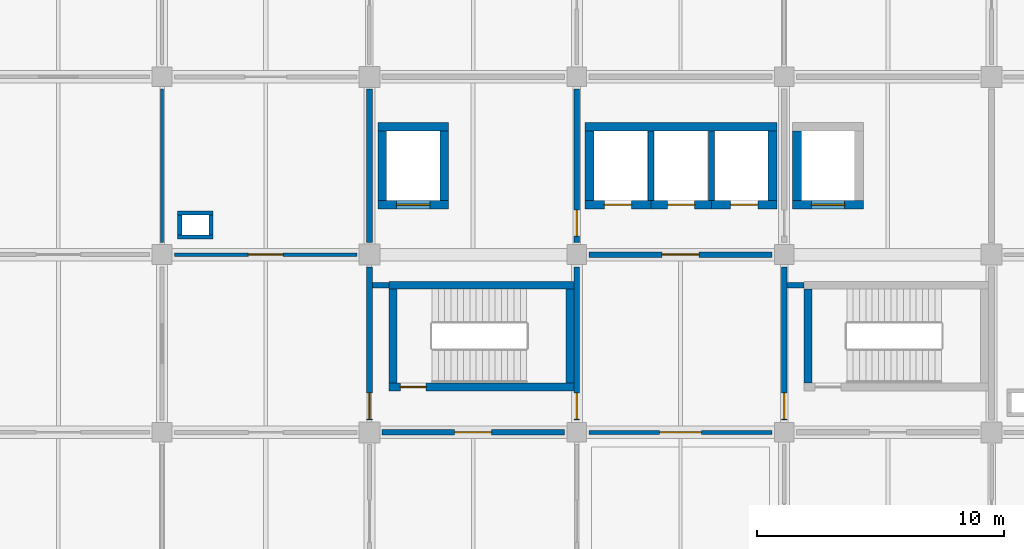
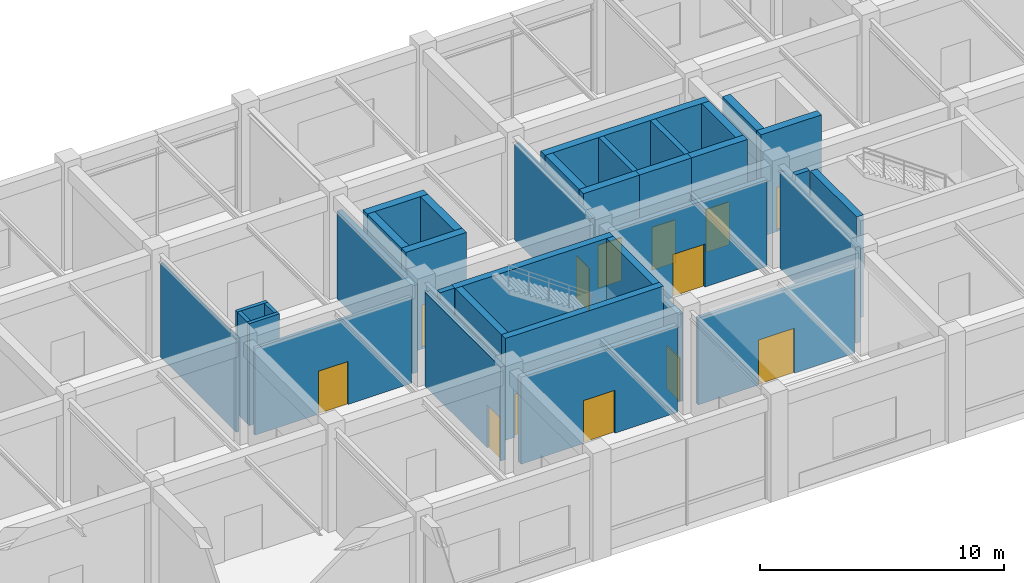
# One storey, part 24 of 38: 35 walls, 14 doors, 14 openings.
"""IFC4 building model written with IfcOpenShell, lengths in metres."""

import ifcopenshell
import ifcopenshell.guid

model = None  # the IFC model being written
_history = None  # IfcOwnerHistory: only IFC2X3 demands one
_inside = {}  # id of a spatial element -> (the spatial element, [elements in it])
_under = {}  # id of a project, library or spatial element -> (it, [spatial elements below it])
_declared = {}  # id of a project -> (the project, [libraries it declares])
_typed = {}  # id of a type object -> (the type object, [elements of that type])
_made_of = {}  # id of a material, layer set ... -> (it, [elements and type objects made of it])


def new_model(schema):
    """Start an empty IFC model of exactly this schema.

    Asked for "IFC4X3", IfcOpenShell would pick the latest addendum, in which some entities
    have other attributes; the version numbers below select the first issue.
    IFC2X3 requires an IfcOwnerHistory on every rooted entity: one is made here for all.
    """
    global model, _history
    if schema == "IFC4X3":
        model = ifcopenshell.file(schema_version=(4, 3, 0, 0))
    else:
        model = ifcopenshell.file(schema=schema)
    _inside.clear()
    _under.clear()
    _declared.clear()
    _typed.clear()
    _made_of.clear()
    _history = None
    if model.schema == "IFC2X3":
        org = make("IfcOrganization", Name="unknown")
        user = make(
            "IfcPersonAndOrganization",
            ThePerson=make("IfcPerson", FamilyName="unknown"),
            TheOrganization=org,
        )
        app = make(
            "IfcApplication",
            ApplicationDeveloper=org,
            Version="unknown",
            ApplicationFullName="unknown",
            ApplicationIdentifier="unknown",
        )
        _history = make(
            "IfcOwnerHistory",
            OwningUser=user,
            OwningApplication=app,
            ChangeAction="ADDED",
            CreationDate=0,
        )
    return model


def make(cls, **values):
    """One entity of the class cls with the attributes given. An attribute that is None is left unset."""
    return model.create_entity(
        cls, **{name: value for name, value in values.items() if value is not None}
    )


def rooted(cls, **values):
    """An entity with a GlobalId (a new one), such as an element, a storey or a relation."""
    return make(cls, GlobalId=ifcopenshell.guid.new(), OwnerHistory=_history, **values)


def si_unit(unit_type, name, prefix=None):
    """IfcSIUnit, for example si_unit("LENGTHUNIT", "METRE", prefix="MILLI")."""
    return make("IfcSIUnit", UnitType=unit_type, Prefix=prefix, Name=name)


def derived_unit(unit_type, elements):
    """IfcDerivedUnit: a product of units, each with its exponent."""
    return make(
        "IfcDerivedUnit",
        Elements=[
            make("IfcDerivedUnitElement", Unit=unit, Exponent=power)
            for unit, power in elements
        ],
        UnitType=unit_type,
    )


def assignment(units):
    """IfcUnitAssignment: the units of a project."""
    return None if units is None else make("IfcUnitAssignment", Units=units)


def point(xyz):
    """IfcCartesianPoint."""
    return None if xyz is None else make("IfcCartesianPoint", Coordinates=xyz)


def direction(xyz):
    """IfcDirection."""
    return None if xyz is None else make("IfcDirection", DirectionRatios=xyz)


def frame(location, z_axis=None, x_axis=None):
    """IfcAxis2Placement3D, a coordinate frame: its origin and axes. An axis left out is left unset."""
    return make(
        "IfcAxis2Placement3D",
        Location=point(location),
        Axis=direction(z_axis),
        RefDirection=direction(x_axis),
    )


def frame_2d(location, x_axis=None):
    """IfcAxis2Placement2D, a coordinate frame in the plane: its origin and x axis."""
    return make(
        "IfcAxis2Placement2D", Location=point(location), RefDirection=direction(x_axis)
    )


def origin():
    """The frame at (0, 0, 0) with its axes left unset."""
    return frame((0.0, 0.0, 0.0))


def place(relative_to, where):
    """IfcLocalPlacement: puts the frame where relative to a parent placement (None: the world)."""
    return make(
        "IfcLocalPlacement", PlacementRelTo=relative_to, RelativePlacement=where
    )


def context(
    kind, dimensions, precision=None, world=None, true_north=None, identifier=None
):
    """IfcGeometricRepresentationContext, for example the 3D "Model" context."""
    return make(
        "IfcGeometricRepresentationContext",
        ContextIdentifier=identifier,
        ContextType=kind,
        CoordinateSpaceDimension=dimensions,
        Precision=precision,
        WorldCoordinateSystem=world,
        TrueNorth=true_north,
    )


def subcontext(parent, identifier, kind, view, scale=None):
    """IfcGeometricRepresentationSubContext, for example "Body" below "Model"."""
    return make(
        "IfcGeometricRepresentationSubContext",
        ContextIdentifier=identifier,
        ContextType=kind,
        ParentContext=parent,
        TargetScale=scale,
        TargetView=view,
    )


def project(units=None, contexts=None):
    """IfcProject with its units and contexts."""
    return rooted(
        "IfcProject",
        Name="project",
        RepresentationContexts=contexts,
        UnitsInContext=assignment(units),
    )


def spatial(cls, under=None, at=None, **own):
    """A site, building, storey or space (cls), placed at a placement, below another one or the project."""
    s = rooted(cls, ObjectPlacement=at, **own)
    if under is not None:
        _under.setdefault(under.id(), (under, []))[1].append(s)
    return s


def profile(cls, at=None, kind="AREA", **sizes):
    """A parametric profile (cls). Its sizes go by their IFC names, for example OverallWidth=200.0."""
    return make(cls, ProfileType=kind, Position=at, **sizes)


def rectangle(**sizes):
    """IfcRectangleProfileDef."""
    return profile("IfcRectangleProfileDef", **sizes)


def extrude(swept, where, along, depth):
    """IfcExtrudedAreaSolid: the profile swept, set in the frame where, extruded along a direction by depth."""
    return make(
        "IfcExtrudedAreaSolid",
        SweptArea=swept,
        Position=where,
        ExtrudedDirection=direction(along),
        Depth=depth,
    )


def shape(context_of_items, identifier, shape_type, items):
    """IfcShapeRepresentation: the items that make up one representation, for example the "Body"."""
    return make(
        "IfcShapeRepresentation",
        ContextOfItems=context_of_items,
        RepresentationIdentifier=identifier,
        RepresentationType=shape_type,
        Items=items,
    )


def material(Name=None, Category=None):
    """IfcMaterial."""
    return make("IfcMaterial", Name=Name, Category=Category)


def layer(
    of_material, thickness, ventilated=None, Name=None, Category=None, Priority=None
):
    """IfcMaterialLayer: one layer of a wall or slab, of a material (None: an air gap)."""
    return make(
        "IfcMaterialLayer",
        Material=of_material,
        LayerThickness=thickness,
        IsVentilated=ventilated,
        Name=Name,
        Category=Category,
        Priority=Priority,
    )


def layer_set(layers, Name=None):
    """IfcMaterialLayerSet."""
    return make("IfcMaterialLayerSet", MaterialLayers=layers, LayerSetName=Name)


def made_of(thing, what):
    """Note that an element or type object is made of a material, layer set ...; save() writes the relation."""
    if what is not None:
        _made_of.setdefault(what.id(), (what, []))[1].append(thing)
    return thing


def type_object(cls, material=None, **own):
    """A type object (cls), such as IfcWallType, which elements share."""
    return made_of(rooted(cls, **own), material)


def element(
    cls,
    number,
    at=None,
    inside=None,
    cuts=None,
    type_object=None,
    material=None,
    context=None,
    identifier="Body",
    shape_type=None,
    held_by="IfcProductDefinitionShape",
    body=None,
    shapes=None,
    **own,
):
    """One element of the class cls, such as IfcWall. Its Tag is "e" and its number.

    at: its placement. inside: the storey or other place that contains it. cuts: it is an
    opening in that element (IfcRelVoidsElement). A single representation is given by context,
    identifier, shape_type and body (its items); several are given by shapes. held_by: the class
    of the entity that holds the representations. save() writes the other relations.
    """
    e = rooted(cls, Tag="e%d" % number, ObjectPlacement=at, **own)
    if body is not None:
        shapes = [shape(context, identifier, shape_type, body)]
    if shapes is not None:
        e.Representation = make(held_by, Representations=shapes)
    if inside is not None:
        _inside.setdefault(inside.id(), (inside, []))[1].append(e)
    if cuts is not None:
        rooted(
            "IfcRelVoidsElement", RelatingBuildingElement=cuts, RelatedOpeningElement=e
        )
    if type_object is not None:
        _typed.setdefault(type_object.id(), (type_object, []))[1].append(e)
    return made_of(e, material)


def fill(opening, filler):
    """IfcRelFillsElement: the door or window that sits in an opening."""
    return rooted(
        "IfcRelFillsElement",
        RelatingOpeningElement=opening,
        RelatedBuildingElement=filler,
    )


def aggregate(whole, parts):
    """IfcRelAggregates: a whole, such as a stair, and the parts it consists of."""
    return rooted("IfcRelAggregates", RelatingObject=whole, RelatedObjects=parts)


def save(model, path):
    """Write the relations noted so far, then the file.

    IfcRelAggregates (storeys below a building ...), IfcRelContainedInSpatialStructure (elements
    in a storey), IfcRelDefinesByType, IfcRelAssociatesMaterial and IfcRelDeclares: one each for
    every whole, place, type object, material and project.
    """
    for whole, parts in _under.values():
        aggregate(whole, parts)
    for where, things in _inside.values():
        rooted(
            "IfcRelContainedInSpatialStructure",
            RelatedElements=things,
            RelatingStructure=where,
        )
    for kind, things in _typed.values():
        rooted("IfcRelDefinesByType", RelatedObjects=things, RelatingType=kind)
    for what, things in _made_of.values():
        rooted("IfcRelAssociatesMaterial", RelatedObjects=things, RelatingMaterial=what)
    for by, libraries in _declared.values():
        rooted("IfcRelDeclares", RelatingContext=by, RelatedDefinitions=libraries)
    model.write(path)


model = new_model("IFC4")

# Units and contexts
model_context = context("Model", 3, precision=1e-05, world=origin(), true_north=direction((0.0, 1.0)))
body_context = subcontext(model_context, "Body", "Model", "MODEL_VIEW")
ifc_project = project(units=[si_unit("LENGTHUNIT", "METRE"), si_unit("AREAUNIT", "SQUARE_METRE"), si_unit("VOLUMEUNIT", "CUBIC_METRE"), si_unit("PLANEANGLEUNIT", "RADIAN"), si_unit("MASSUNIT", "GRAM", prefix="KILO"), derived_unit("THERMALTRANSMITTANCEUNIT", [(si_unit("MASSUNIT", "GRAM", prefix="KILO"), 1), (si_unit("TIMEUNIT", "SECOND"), -3), (si_unit("THERMODYNAMICTEMPERATUREUNIT", "KELVIN"), -1)])], contexts=[model_context])

# Site, building, storey
site_placement = place(None, origin())
site = spatial("IfcSite", under=ifc_project, at=site_placement, CompositionType="ELEMENT")
building_placement = place(site_placement, origin())
building = spatial("IfcBuilding", under=site, at=building_placement, Name="Veldstrom Oceanarium and Marine Research Institute", CompositionType="ELEMENT")
storey_placement = place(building_placement, frame((0.0, 0.0, 11.39990234375)))
storey = spatial("IfcBuildingStorey", under=building, at=storey_placement, Name="L02", CompositionType="ELEMENT", Elevation=11.39990234375)

# Wall, opening, door
ifc_material_1 = material(Name="Masonry Fire Compartment Wall", Category="masonry")
ifc_layer_1 = layer(ifc_material_1, 0.22998046875)
ifc_layer_set_1 = layer_set([ifc_layer_1], Name="ARC-WAL-PT1")
wall_type_1 = type_object("IfcWallType", Name="ARC-WAL-PT1", PredefinedType="PARTITIONING", material=ifc_layer_set_1)
wall_1_placement = place(storey_placement, frame((75.60009765625, 50.89990234375, 0.0), z_axis=(0.0, 0.0, 1.0), x_axis=(0.0, 1.0, 0.0)))
wall_1 = element("IfcWall", 1, at=wall_1_placement, inside=storey, type_object=wall_type_1, Name="Interior Partition PT1 L02-1160", PredefinedType="PARTITIONING", context=body_context, shape_type="SweptSolid", body=[
    extrude(rectangle(XDim=6.2001953125, YDim=0.22998046875, at=frame_2d((3.10009765625, 0.0))), origin(), (0.0, 0.0, 1.0), 4.695068359375),
])
opening_1_placement = place(wall_1_placement, frame((0.050048828125, 0.0, 0.0)))
opening_1 = element("IfcOpeningElement", 2, at=opening_1_placement, cuts=wall_1, Name="Opening D-L02-676", PredefinedType="OPENING", context=body_context, shape_type="SweptSolid", body=[
    extrude(rectangle(XDim=1.050048828125, YDim=2.14990234375, at=frame_2d((0.52490234375, 1.074951171875))), frame((0.0, 0.125, 0.0), z_axis=(0.0, -1.0, 0.0), x_axis=(1.0, 0.0, 0.0)), (0.0, 0.0, 1.0), 0.25),
])
ifc_material_2 = material(Name="Painted Steel Fire Door", Category="steel")
door_type_1 = type_object("IfcDoorType", Name="ARC-DOR-SD1", OperationType="SINGLE_SWING_LEFT", PredefinedType="DOOR", material=ifc_material_2)
door_1_placement = place(opening_1_placement, origin())
door_1 = element("IfcDoor", 3, at=door_1_placement, inside=storey, type_object=door_type_1, Name="Interior Door D-L02-676", OperationType="SINGLE_SWING_LEFT", OverallHeight=2.14990234375, OverallWidth=1.050048828125, PredefinedType="DOOR", context=body_context, shape_type="SweptSolid", body=[
    extrude(rectangle(XDim=1.050048828125, YDim=2.14990234375, at=frame_2d((0.52490234375, 1.074951171875))), frame((0.0, 0.02490234375, 0.0), z_axis=(0.0, -1.0, 0.0), x_axis=(1.0, 0.0, 0.0)), (0.0, 0.0, 1.0), 0.050048828125),
])
fill(opening_1, door_1)

# Wall
wall_2_placement = place(storey_placement, frame((75.60009765625, 58.10009765625, 0.0), z_axis=(0.0, 0.0, 1.0), x_axis=(0.0, 1.0, 0.0)))
element("IfcWall", 4, at=wall_2_placement, inside=storey, type_object=wall_type_1, Name="Interior Partition PT1 L02-1162", PredefinedType="PARTITIONING", context=body_context, shape_type="SweptSolid", body=[
    extrude(rectangle(XDim=6.199951171875, YDim=0.22998046875, at=frame_2d((3.10009765625, 0.0))), origin(), (0.0, 0.0, 1.0), 4.39501953125),
])

# Wall, opening, door
wall_3_placement = place(storey_placement, frame((76.10009765625, 50.39990234375, 0.0), z_axis=(0.0, 0.0, 1.0), x_axis=(1.0, 0.0, 0.0)))
wall_3 = element("IfcWall", 5, at=wall_3_placement, inside=storey, type_object=wall_type_1, Name="Interior Partition PT1 L02-1166", PredefinedType="PARTITIONING", context=body_context, shape_type="SweptSolid", body=[
    extrude(rectangle(XDim=7.39990234375, YDim=0.22998046875, at=frame_2d((3.699951171875, 0.0))), origin(), (0.0, 0.0, 1.0), 4.34521484375),
])
opening_2_placement = place(wall_3_placement, frame((2.949951171875, 0.0, 0.0)))
opening_2 = element("IfcOpeningElement", 6, at=opening_2_placement, cuts=wall_3, Name="Opening D-L02-681", PredefinedType="OPENING", context=body_context, shape_type="SweptSolid", body=[
    extrude(rectangle(XDim=1.5, YDim=2.14990234375, at=frame_2d((0.75, 1.074951171875))), frame((0.0, 0.125, 0.0), z_axis=(0.0, -1.0, 0.0), x_axis=(1.0, 0.0, 0.0)), (0.0, 0.0, 1.0), 0.25),
])
ifc_material_3 = material(Name="Painted Steel Lobby Fire Door", Category="steel")
door_type_2 = type_object("IfcDoorType", Name="ARC-DOR-SD2", OperationType="DOUBLE_DOOR_SINGLE_SWING", PredefinedType="DOOR", material=ifc_material_3)
door_2_placement = place(opening_2_placement, frame((1.5, 0.0, 0.0), z_axis=(0.0, 0.0, 1.0), x_axis=(-1.0, 0.0, 0.0)))
door_2 = element("IfcDoor", 7, at=door_2_placement, inside=storey, type_object=door_type_2, Name="Interior Door D-L02-681", OperationType="DOUBLE_DOOR_SINGLE_SWING", OverallHeight=2.14990234375, OverallWidth=1.5, PredefinedType="DOOR", context=body_context, shape_type="SweptSolid", body=[
    extrude(rectangle(XDim=1.5, YDim=2.14990234375, at=frame_2d((0.75, 1.074951171875))), frame((0.0, 0.02490234375, 0.0), z_axis=(0.0, -1.0, 0.0), x_axis=(1.0, 0.0, 0.0)), (0.0, 0.0, 1.0), 0.050048828125),
])
fill(opening_2, door_2)

wall_4_placement = place(storey_placement, frame((84.0, 50.89990234375, 0.0), z_axis=(0.0, 0.0, 1.0), x_axis=(0.0, 1.0, 0.0)))
wall_4 = element("IfcWall", 8, at=wall_4_placement, inside=storey, type_object=wall_type_1, Name="Interior Partition PT1 L02-1167", PredefinedType="PARTITIONING", context=body_context, shape_type="SweptSolid", body=[
    extrude(rectangle(XDim=6.2001953125, YDim=0.22998046875, at=frame_2d((3.10009765625, 0.0))), origin(), (0.0, 0.0, 1.0), 4.39501953125),
])
opening_3_placement = place(wall_4_placement, frame((0.050048828125, 0.0, 0.0)))
opening_3 = element("IfcOpeningElement", 9, at=opening_3_placement, cuts=wall_4, Name="Opening D-L02-682", PredefinedType="OPENING", context=body_context, shape_type="SweptSolid", body=[
    extrude(rectangle(XDim=1.050048828125, YDim=2.14990234375, at=frame_2d((0.52490234375, 1.074951171875))), frame((0.0, 0.125, 0.0), z_axis=(0.0, -1.0, 0.0), x_axis=(1.0, 0.0, 0.0)), (0.0, 0.0, 1.0), 0.25),
])
door_3_placement = place(opening_3_placement, frame((1.050048828125, 0.0, 0.0), z_axis=(0.0, 0.0, 1.0), x_axis=(-1.0, 0.0, 0.0)))
door_3 = element("IfcDoor", 10, at=door_3_placement, inside=storey, type_object=door_type_1, Name="Interior Door D-L02-682", OperationType="SINGLE_SWING_RIGHT", OverallHeight=2.14990234375, OverallWidth=1.050048828125, PredefinedType="DOOR", context=body_context, shape_type="SweptSolid", body=[
    extrude(rectangle(XDim=1.050048828125, YDim=2.14990234375, at=frame_2d((0.52490234375, 1.074951171875))), frame((0.0, 0.02490234375, 0.0), z_axis=(0.0, -1.0, 0.0), x_axis=(1.0, 0.0, 0.0)), (0.0, 0.0, 1.0), 0.050048828125),
])
fill(opening_3, door_3)

# Wall
wall_5_placement = place(storey_placement, frame((75.719970703125, 56.360107421875, 0.0), z_axis=(0.0, 0.0, 1.0), x_axis=(1.0, 0.0, 0.0)))
element("IfcWall", 11, at=wall_5_placement, inside=storey, type_object=wall_type_1, Name="Interior Partition PT1 L02-1168", PredefinedType="PARTITIONING", context=body_context, shape_type="SweptSolid", body=[
    extrude(rectangle(XDim=0.679931640625, YDim=0.22998046875, at=frame_2d((0.33984375, 0.0))), origin(), (0.0, 0.0, 1.0), 5.10009765625),
])

# Wall, opening, door
wall_6_placement = place(storey_placement, frame((84.0, 58.10009765625, 0.0), z_axis=(0.0, 0.0, 1.0), x_axis=(0.0, 1.0, 0.0)))
wall_6 = element("IfcWall", 12, at=wall_6_placement, inside=storey, type_object=wall_type_1, Name="Interior Partition PT1 L02-1169", PredefinedType="PARTITIONING", context=body_context, shape_type="SweptSolid", body=[
    extrude(rectangle(XDim=6.199951171875, YDim=0.22998046875, at=frame_2d((3.10009765625, 0.0))), origin(), (0.0, 0.0, 1.0), 4.80517578125),
])
opening_4_placement = place(wall_6_placement, frame((0.25, 0.0, 0.0)))
opening_4 = element("IfcOpeningElement", 13, at=opening_4_placement, cuts=wall_6, Name="Opening D-L02-683", PredefinedType="OPENING", context=body_context, shape_type="SweptSolid", body=[
    extrude(rectangle(XDim=1.050048828125, YDim=2.14990234375, at=frame_2d((0.52490234375, 1.074951171875))), frame((0.0, 0.125, 0.0), z_axis=(0.0, -1.0, 0.0), x_axis=(1.0, 0.0, 0.0)), (0.0, 0.0, 1.0), 0.25),
])
door_4_placement = place(opening_4_placement, origin())
door_4 = element("IfcDoor", 14, at=door_4_placement, inside=storey, type_object=door_type_1, Name="Interior Door D-L02-683", OperationType="SINGLE_SWING_LEFT", OverallHeight=2.14990234375, OverallWidth=1.050048828125, PredefinedType="DOOR", context=body_context, shape_type="SweptSolid", body=[
    extrude(rectangle(XDim=1.050048828125, YDim=2.14990234375, at=frame_2d((0.52490234375, 1.074951171875))), frame((0.0, 0.02490234375, 0.0), z_axis=(0.0, -1.0, 0.0), x_axis=(1.0, 0.0, 0.0)), (0.0, 0.0, 1.0), 0.050048828125),
])
fill(opening_4, door_4)

wall_7_placement = place(storey_placement, frame((92.39990234375, 50.89990234375, 0.0), z_axis=(0.0, 0.0, 1.0), x_axis=(0.0, 1.0, 0.0)))
wall_7 = element("IfcWall", 15, at=wall_7_placement, inside=storey, type_object=wall_type_1, Name="Interior Partition PT1 L02-1174", PredefinedType="PARTITIONING", context=body_context, shape_type="SweptSolid", body=[
    extrude(rectangle(XDim=6.2001953125, YDim=0.22998046875, at=frame_2d((3.10009765625, 0.0))), origin(), (0.0, 0.0, 1.0), 4.80517578125),
])
opening_5_placement = place(wall_7_placement, frame((0.050048828125, 0.0, 0.0)))
opening_5 = element("IfcOpeningElement", 16, at=opening_5_placement, cuts=wall_7, Name="Opening D-L02-687", PredefinedType="OPENING", context=body_context, shape_type="SweptSolid", body=[
    extrude(rectangle(XDim=1.050048828125, YDim=2.14990234375, at=frame_2d((0.52490234375, 1.074951171875))), frame((0.0, 0.125, 0.0), z_axis=(0.0, -1.0, 0.0), x_axis=(1.0, 0.0, 0.0)), (0.0, 0.0, 1.0), 0.25),
])
door_5_placement = place(opening_5_placement, origin())
door_5 = element("IfcDoor", 17, at=door_5_placement, inside=storey, type_object=door_type_1, Name="Interior Door D-L02-687", OperationType="SINGLE_SWING_LEFT", OverallHeight=2.14990234375, OverallWidth=1.050048828125, PredefinedType="DOOR", context=body_context, shape_type="SweptSolid", body=[
    extrude(rectangle(XDim=1.050048828125, YDim=2.14990234375, at=frame_2d((0.52490234375, 1.074951171875))), frame((0.0, 0.02490234375, 0.0), z_axis=(0.0, -1.0, 0.0), x_axis=(1.0, 0.0, 0.0)), (0.0, 0.0, 1.0), 0.050048828125),
])
fill(opening_5, door_5)

wall_8_placement = place(storey_placement, frame((84.5, 57.60009765625, 0.0), z_axis=(0.0, 0.0, 1.0), x_axis=(1.0, 0.0, 0.0)))
wall_8 = element("IfcWall", 18, at=wall_8_placement, inside=storey, type_object=wall_type_1, Name="Interior Partition PT1 L02-1175", PredefinedType="PARTITIONING", context=body_context, shape_type="SweptSolid", body=[
    extrude(rectangle(XDim=7.39990234375, YDim=0.22998046875, at=frame_2d((3.699951171875, 0.0))), origin(), (0.0, 0.0, 1.0), 4.34521484375),
])
opening_6_placement = place(wall_8_placement, frame((2.949951171875, 0.0, 0.0)))
opening_6 = element("IfcOpeningElement", 19, at=opening_6_placement, cuts=wall_8, Name="Opening D-L02-688", PredefinedType="OPENING", context=body_context, shape_type="SweptSolid", body=[
    extrude(rectangle(XDim=1.5, YDim=2.14990234375, at=frame_2d((0.75, 1.074951171875))), frame((0.0, 0.125, 0.0), z_axis=(0.0, -1.0, 0.0), x_axis=(1.0, 0.0, 0.0)), (0.0, 0.0, 1.0), 0.25),
])
door_6_placement = place(opening_6_placement, origin())
door_6 = element("IfcDoor", 20, at=door_6_placement, inside=storey, type_object=door_type_2, Name="Interior Door D-L02-688", OperationType="DOUBLE_DOOR_SINGLE_SWING", OverallHeight=2.14990234375, OverallWidth=1.5, PredefinedType="DOOR", context=body_context, shape_type="SweptSolid", body=[
    extrude(rectangle(XDim=1.5, YDim=2.14990234375, at=frame_2d((0.75, 1.074951171875))), frame((0.0, 0.02490234375, 0.0), z_axis=(0.0, -1.0, 0.0), x_axis=(1.0, 0.0, 0.0)), (0.0, 0.0, 1.0), 0.050048828125),
])
fill(opening_6, door_6)

# Wall
wall_9_placement = place(storey_placement, frame((92.52001953125, 56.360107421875, 0.0), z_axis=(0.0, 0.0, 1.0), x_axis=(1.0, 0.0, 0.0)))
element("IfcWall", 21, at=wall_9_placement, inside=storey, type_object=wall_type_1, Name="Interior Partition PT1 L02-1182", PredefinedType="PARTITIONING", context=body_context, shape_type="SweptSolid", body=[
    extrude(rectangle(XDim=0.679931640625, YDim=0.22998046875, at=frame_2d((0.33984375, 0.0))), origin(), (0.0, 0.0, 1.0), 5.10009765625),
])

# Wall, opening, door
ifc_material_4 = material(Name="Drywall Corridor Partition", Category="gypsum")
ifc_layer_2 = layer(ifc_material_4, 0.155029296875)
ifc_layer_set_2 = layer_set([ifc_layer_2], Name="ARC-WAL-PT4")
wall_type_2 = type_object("IfcWallType", Name="ARC-WAL-PT4", PredefinedType="PARTITIONING", material=ifc_layer_set_2)
wall_10_placement = place(storey_placement, frame((84.5, 50.39990234375, 0.0), z_axis=(0.0, 0.0, 1.0), x_axis=(1.0, 0.0, 0.0)))
wall_10 = element("IfcWall", 22, at=wall_10_placement, inside=storey, type_object=wall_type_2, Name="Interior Partition PT4 L02-1173", PredefinedType="PARTITIONING", context=body_context, shape_type="SweptSolid", body=[
    extrude(rectangle(XDim=7.39990234375, YDim=0.155029296875, at=frame_2d((3.699951171875, 0.0))), origin(), (0.0, 0.0, 1.0), 4.34521484375),
])
opening_7_placement = place(wall_10_placement, frame((2.85009765625, 0.0, 0.0)))
opening_7 = element("IfcOpeningElement", 23, at=opening_7_placement, cuts=wall_10, Name="Opening D-L02-686", PredefinedType="OPENING", context=body_context, shape_type="SweptSolid", body=[
    extrude(rectangle(XDim=1.699951171875, YDim=2.25, at=frame_2d((0.85009765625, 1.125))), frame((0.0, 0.08740234375, 0.0), z_axis=(0.0, -1.0, 0.0), x_axis=(1.0, 0.0, 0.0)), (0.0, 0.0, 1.0), 0.175048828125),
])
ifc_material_5 = material(Name="Symposium Auditorium Door", Category="timber")
door_type_3 = type_object("IfcDoorType", Name="ARC-DOR-ID13", OperationType="DOUBLE_DOOR_SINGLE_SWING", PredefinedType="DOOR", material=ifc_material_5)
door_7_placement = place(opening_7_placement, frame((1.699951171875, 0.0, 0.0), z_axis=(0.0, 0.0, 1.0), x_axis=(-1.0, 0.0, 0.0)))
door_7 = element("IfcDoor", 24, at=door_7_placement, inside=storey, type_object=door_type_3, Name="Interior Door D-L02-686", OperationType="DOUBLE_DOOR_SINGLE_SWING", OverallHeight=2.25, OverallWidth=1.699951171875, PredefinedType="DOOR", context=body_context, shape_type="SweptSolid", body=[
    extrude(rectangle(XDim=1.699951171875, YDim=2.25, at=frame_2d((0.85009765625, 1.125))), frame((0.0, 0.02490234375, 0.0), z_axis=(0.0, -1.0, 0.0), x_axis=(1.0, 0.0, 0.0)), (0.0, 0.0, 1.0), 0.050048828125),
])
fill(opening_7, door_7)

ifc_material_6 = material(Name="Moisture-Resistant Wet-Area Partition", Category="masonry")
ifc_layer_3 = layer(ifc_material_6, 0.139892578125)
ifc_layer_set_3 = layer_set([ifc_layer_3], Name="ARC-WAL-PT5")
wall_type_3 = type_object("IfcWallType", Name="ARC-WAL-PT5", PredefinedType="PARTITIONING", material=ifc_layer_set_3)
wall_11_placement = place(storey_placement, frame((67.699951171875, 57.60009765625, 0.0), z_axis=(0.0, 0.0, 1.0), x_axis=(1.0, 0.0, 0.0)))
wall_11 = element("IfcWall", 25, at=wall_11_placement, inside=storey, type_object=wall_type_3, Name="Interior Partition PT5 L02-1161", PredefinedType="PARTITIONING", context=body_context, shape_type="SweptSolid", body=[
    extrude(rectangle(XDim=7.400146484375, YDim=0.139892578125, at=frame_2d((3.7001953125, 0.0))), origin(), (0.0, 0.0, 1.0), 4.34521484375),
])
opening_8_placement = place(wall_11_placement, frame((3.0, 0.0, 0.0)))
opening_8 = element("IfcOpeningElement", 26, at=opening_8_placement, cuts=wall_11, Name="Opening D-L02-677", PredefinedType="OPENING", context=body_context, shape_type="SweptSolid", body=[
    extrude(rectangle(XDim=1.39990234375, YDim=2.14990234375, at=frame_2d((0.699951171875, 1.074951171875))), frame((0.0, 0.079833984375, 0.0), z_axis=(0.0, -1.0, 0.0), x_axis=(1.0, 0.0, 0.0)), (0.0, 0.0, 1.0), 0.159912109375),
])
ifc_material_7 = material(Name="Education Classroom Door", Category="timber")
door_type_4 = type_object("IfcDoorType", Name="ARC-DOR-ID04", OperationType="DOUBLE_DOOR_SINGLE_SWING", PredefinedType="DOOR", material=ifc_material_7)
door_8_placement = place(opening_8_placement, frame((1.39990234375, 0.0, 0.0), z_axis=(0.0, 0.0, 1.0), x_axis=(-1.0, 0.0, 0.0)))
door_8 = element("IfcDoor", 27, at=door_8_placement, inside=storey, type_object=door_type_4, Name="Interior Door D-L02-677", OperationType="DOUBLE_DOOR_SINGLE_SWING", OverallHeight=2.14990234375, OverallWidth=1.39990234375, PredefinedType="DOOR", context=body_context, shape_type="SweptSolid", body=[
    extrude(rectangle(XDim=1.39990234375, YDim=2.14990234375, at=frame_2d((0.699951171875, 1.074951171875))), frame((0.0, 0.02490234375, 0.0), z_axis=(0.0, -1.0, 0.0), x_axis=(1.0, 0.0, 0.0)), (0.0, 0.0, 1.0), 0.050048828125),
])
fill(opening_8, door_8)

# Walls
ifc_material_8 = material(Name="Lightweight Studio Partition", Category="gypsum")
ifc_layer_4 = layer(ifc_material_8, 0.1201171875)
ifc_layer_set_4 = layer_set([ifc_layer_4], Name="ARC-WAL-PT6")
wall_type_4 = type_object("IfcWallType", Name="ARC-WAL-PT6", PredefinedType="PARTITIONING", material=ifc_layer_set_4)
wall_12_placement = place(storey_placement, frame((67.199951171875, 58.10009765625, 0.0), z_axis=(0.0, 0.0, 1.0), x_axis=(0.0, 1.0, 0.0)))
element("IfcWall", 28, at=wall_12_placement, inside=storey, type_object=wall_type_4, Name="Interior Partition PT6 L02-1155", PredefinedType="PARTITIONING", context=body_context, shape_type="SweptSolid", body=[
    extrude(rectangle(XDim=6.199951171875, YDim=0.1201171875, at=frame_2d((3.10009765625, 0.0))), origin(), (0.0, 0.0, 1.0), 4.695068359375),
])
ifc_material_9 = material(Name="Service Riser Fire Shaft Wall", Category="masonry")
ifc_layer_5 = layer(ifc_material_9, 0.1650390625)
ifc_layer_set_5 = layer_set([ifc_layer_5], Name="ARC-WAL-PT9")
wall_type_5 = type_object("IfcWallType", Name="ARC-WAL-PT9", PredefinedType="PARTITIONING", material=ifc_layer_set_5)
for number, where, z_axis, x_axis, name in (
    (29, (67.8349609375, 58.3173828125, 0.0), (0.0, 0.0, 1.0), (1.0, 0.0, 0.0), "Service Riser Fire Shaft Wall L02-CW-S"),
    (30, (67.8349609375, 59.282470703125, 0.0), (0.0, 0.0, 1.0), (1.0, 0.0, 0.0), "Service Riser Fire Shaft Wall L02-CW-N"),
):
    element("IfcWall", number, at=place(storey_placement, frame(where, z_axis=z_axis, x_axis=x_axis)), inside=storey, type_object=wall_type_5, Name=name, PredefinedType="PARTITIONING", context=body_context, shape_type="SweptSolid", body=[
        extrude(rectangle(XDim=1.429931640625, YDim=0.1650390625, at=frame_2d((0.71484375, 0.0))), origin(), (0.0, 0.0, 1.0), 5.10009765625),
    ])
for number, where, z_axis, x_axis, name in (
    (31, (67.91748046875, 58.39990234375, 0.0), (0.0, 0.0, 1.0), (0.0, 1.0, 0.0), "Service Riser Fire Shaft Wall L02-CW-W"),
    (32, (69.1826171875, 58.39990234375, 0.0), (0.0, 0.0, 1.0), (0.0, 1.0, 0.0), "Service Riser Fire Shaft Wall L02-CW-E"),
):
    element("IfcWall", number, at=place(storey_placement, frame(where, z_axis=z_axis, x_axis=x_axis)), inside=storey, type_object=wall_type_5, Name=name, PredefinedType="PARTITIONING", context=body_context, shape_type="SweptSolid", body=[
        extrude(rectangle(XDim=0.800048828125, YDim=0.1650390625, at=frame_2d((0.39990234375, 0.0))), origin(), (0.0, 0.0, 1.0), 5.10009765625),
    ])
ifc_material_10 = material(Name="Concrete C40/50", Category="concrete")
ifc_layer_6 = layer(ifc_material_10, 0.360107421875)
ifc_layer_set_6 = layer_set([ifc_layer_6], Name="STR-WAL-WC2")
wall_type_6 = type_object("IfcWallType", Name="STR-WAL-WC2", PredefinedType="SHEAR", material=ifc_layer_set_6)
wall_13_placement = place(storey_placement, frame((75.93994140625, 62.780029296875, 0.0), z_axis=(0.0, 0.0, 1.0), x_axis=(1.0, 0.0, 0.0)))
element("IfcWall", 33, at=wall_13_placement, inside=storey, type_object=wall_type_6, Name="Lift Shaft Shear Wall N L02 9/8", PredefinedType="SHEAR", context=body_context, shape_type="SweptSolid", body=[
    extrude(rectangle(XDim=2.8701171875, YDim=0.360107421875, at=frame_2d((1.43505859375, 0.0))), origin(), (0.0, 0.0, 1.0), 5.10009765625),
])

# Wall, opening, door
wall_14_placement = place(storey_placement, frame((75.93994140625, 59.6201171875, 0.0), z_axis=(0.0, 0.0, 1.0), x_axis=(1.0, 0.0, 0.0)))
wall_14 = element("IfcWall", 34, at=wall_14_placement, inside=storey, type_object=wall_type_6, Name="Lift Shaft Front Shear Wall LF1 L02", PredefinedType="SHEAR", context=body_context, shape_type="SweptSolid", body=[
    extrude(rectangle(XDim=2.8701171875, YDim=0.360107421875, at=frame_2d((1.43505859375, 0.0))), origin(), (0.0, 0.0, 1.0), 5.10009765625),
])
opening_9_placement = place(wall_14_placement, frame((0.760009765625, 0.0, 0.0)))
opening_9 = element("IfcOpeningElement", 35, at=opening_9_placement, cuts=wall_14, Name="Opening LD-LF1-L02", PredefinedType="OPENING", context=body_context, shape_type="SweptSolid", body=[
    extrude(rectangle(XDim=1.35009765625, YDim=2.199951171875, at=frame_2d((0.675048828125, 1.10009765625))), frame((0.0, 0.18994140625, 0.0), z_axis=(0.0, -1.0, 0.0), x_axis=(1.0, 0.0, 0.0)), (0.0, 0.0, 1.0), 0.380126953125),
])
ifc_material_11 = material(Name="Stainless Steel Lift Landing Door", Category="steel")
door_type_5 = type_object("IfcDoorType", Name="ARC-DOR-LD3", OperationType="DOUBLE_DOOR_SLIDING", PredefinedType="DOOR", material=ifc_material_11)
door_9_placement = place(opening_9_placement, origin())
door_9 = element("IfcDoor", 36, at=door_9_placement, inside=storey, type_object=door_type_5, Name="Lift Landing Door LD-LF1-L02", OperationType="DOUBLE_DOOR_SLIDING", OverallHeight=2.199951171875, OverallWidth=1.35009765625, PredefinedType="DOOR", context=body_context, shape_type="SweptSolid", body=[
    extrude(rectangle(XDim=1.35009765625, YDim=2.199951171875, at=frame_2d((0.675048828125, 1.10009765625))), frame((0.0, 0.02490234375, 0.0), z_axis=(0.0, -1.0, 0.0), x_axis=(1.0, 0.0, 0.0)), (0.0, 0.0, 1.0), 0.050048828125),
])
fill(opening_9, door_9)

# Walls
for number, where, z_axis, x_axis, name in (
    (37, (76.1201171875, 59.800048828125, 0.0), (0.0, 0.0, 1.0), (0.0, 1.0, 0.0), "Lift Shaft Shear Wall W L02 9/8"),
    (38, (78.6298828125, 59.800048828125, 0.0), (0.0, 0.0, 1.0), (0.0, 1.0, 0.0), "Lift Shaft Shear Wall E L02 9/8"),
):
    element("IfcWall", number, at=place(storey_placement, frame(where, z_axis=z_axis, x_axis=x_axis)), inside=storey, type_object=wall_type_6, Name=name, PredefinedType="SHEAR", context=body_context, shape_type="SweptSolid", body=[
        extrude(rectangle(XDim=2.800048828125, YDim=0.360107421875, at=frame_2d((1.39990234375, 0.0))), origin(), (0.0, 0.0, 1.0), 5.10009765625),
    ])
wall_15_placement = place(storey_placement, frame((84.340087890625, 62.780029296875, 0.0), z_axis=(0.0, 0.0, 1.0), x_axis=(1.0, 0.0, 0.0)))
element("IfcWall", 39, at=wall_15_placement, inside=storey, type_object=wall_type_6, Name="Lift Shaft Shear Wall N L02 10/8", PredefinedType="SHEAR", context=body_context, shape_type="SweptSolid", body=[
    extrude(rectangle(XDim=7.77001953125, YDim=0.360107421875, at=frame_2d((3.885009765625, 0.0))), origin(), (0.0, 0.0, 1.0), 5.10009765625),
])

# Wall, opening, door
wall_16_placement = place(storey_placement, frame((84.340087890625, 59.6201171875, 0.0), z_axis=(0.0, 0.0, 1.0), x_axis=(1.0, 0.0, 0.0)))
wall_16 = element("IfcWall", 40, at=wall_16_placement, inside=storey, type_object=wall_type_6, Name="Lift Shaft Front Shear Wall LP1 L02", PredefinedType="SHEAR", context=body_context, shape_type="SweptSolid", body=[
    extrude(rectangle(XDim=2.659912109375, YDim=0.360107421875, at=frame_2d((1.330078125, 0.0))), origin(), (0.0, 0.0, 1.0), 5.10009765625),
])
opening_10_placement = place(wall_16_placement, frame((0.780029296875, 0.0, 0.0)))
opening_10 = element("IfcOpeningElement", 41, at=opening_10_placement, cuts=wall_16, Name="Opening LD-LP1-L02", PredefinedType="OPENING", context=body_context, shape_type="SweptSolid", body=[
    extrude(rectangle(XDim=1.10009765625, YDim=2.14990234375, at=frame_2d((0.550048828125, 1.074951171875))), frame((0.0, 0.18994140625, 0.0), z_axis=(0.0, -1.0, 0.0), x_axis=(1.0, 0.0, 0.0)), (0.0, 0.0, 1.0), 0.380126953125),
])
ifc_material_12 = material(Name="Stainless Steel Lift Landing Door", Category="steel")
door_type_6 = type_object("IfcDoorType", Name="ARC-DOR-LD1", OperationType="DOUBLE_DOOR_SLIDING", PredefinedType="DOOR", material=ifc_material_12)
door_10_placement = place(opening_10_placement, origin())
door_10 = element("IfcDoor", 42, at=door_10_placement, inside=storey, type_object=door_type_6, Name="Lift Landing Door LD-LP1-L02", OperationType="DOUBLE_DOOR_SLIDING", OverallHeight=2.14990234375, OverallWidth=1.10009765625, PredefinedType="DOOR", context=body_context, shape_type="SweptSolid", body=[
    extrude(rectangle(XDim=1.10009765625, YDim=2.14990234375, at=frame_2d((0.550048828125, 1.074951171875))), frame((0.0, 0.02490234375, 0.0), z_axis=(0.0, -1.0, 0.0), x_axis=(1.0, 0.0, 0.0)), (0.0, 0.0, 1.0), 0.050048828125),
])
fill(opening_10, door_10)

wall_17_placement = place(storey_placement, frame((87.0, 59.6201171875, 0.0), z_axis=(0.0, 0.0, 1.0), x_axis=(1.0, 0.0, 0.0)))
wall_17 = element("IfcWall", 43, at=wall_17_placement, inside=storey, type_object=wall_type_6, Name="Lift Shaft Front Shear Wall LP2 L02", PredefinedType="SHEAR", context=body_context, shape_type="SweptSolid", body=[
    extrude(rectangle(XDim=2.449951171875, YDim=0.360107421875, at=frame_2d((1.22509765625, 0.0))), origin(), (0.0, 0.0, 1.0), 5.10009765625),
])
opening_11_placement = place(wall_17_placement, frame((0.675048828125, 0.0, 0.0)))
opening_11 = element("IfcOpeningElement", 44, at=opening_11_placement, cuts=wall_17, Name="Opening LD-LP2-L02", PredefinedType="OPENING", context=body_context, shape_type="SweptSolid", body=[
    extrude(rectangle(XDim=1.10009765625, YDim=2.14990234375, at=frame_2d((0.550048828125, 1.074951171875))), frame((0.0, 0.18994140625, 0.0), z_axis=(0.0, -1.0, 0.0), x_axis=(1.0, 0.0, 0.0)), (0.0, 0.0, 1.0), 0.380126953125),
])
door_11_placement = place(opening_11_placement, origin())
door_11 = element("IfcDoor", 45, at=door_11_placement, inside=storey, type_object=door_type_6, Name="Lift Landing Door LD-LP2-L02", OperationType="DOUBLE_DOOR_SLIDING", OverallHeight=2.14990234375, OverallWidth=1.10009765625, PredefinedType="DOOR", context=body_context, shape_type="SweptSolid", body=[
    extrude(rectangle(XDim=1.10009765625, YDim=2.14990234375, at=frame_2d((0.550048828125, 1.074951171875))), frame((0.0, 0.02490234375, 0.0), z_axis=(0.0, -1.0, 0.0), x_axis=(1.0, 0.0, 0.0)), (0.0, 0.0, 1.0), 0.050048828125),
])
fill(opening_11, door_11)

wall_18_placement = place(storey_placement, frame((89.449951171875, 59.6201171875, 0.0), z_axis=(0.0, 0.0, 1.0), x_axis=(1.0, 0.0, 0.0)))
wall_18 = element("IfcWall", 46, at=wall_18_placement, inside=storey, type_object=wall_type_6, Name="Lift Shaft Front Shear Wall LP3 L02", PredefinedType="SHEAR", context=body_context, shape_type="SweptSolid", body=[
    extrude(rectangle(XDim=2.66015625, YDim=0.360107421875, at=frame_2d((1.330078125, 0.0))), origin(), (0.0, 0.0, 1.0), 5.10009765625),
])
opening_12_placement = place(wall_18_placement, frame((0.780029296875, 0.0, 0.0)))
opening_12 = element("IfcOpeningElement", 47, at=opening_12_placement, cuts=wall_18, Name="Opening LD-LP3-L02", PredefinedType="OPENING", context=body_context, shape_type="SweptSolid", body=[
    extrude(rectangle(XDim=1.10009765625, YDim=2.14990234375, at=frame_2d((0.550048828125, 1.074951171875))), frame((0.0, 0.18994140625, 0.0), z_axis=(0.0, -1.0, 0.0), x_axis=(1.0, 0.0, 0.0)), (0.0, 0.0, 1.0), 0.380126953125),
])
door_12_placement = place(opening_12_placement, origin())
door_12 = element("IfcDoor", 48, at=door_12_placement, inside=storey, type_object=door_type_6, Name="Lift Landing Door LD-LP3-L02", OperationType="DOUBLE_DOOR_SLIDING", OverallHeight=2.14990234375, OverallWidth=1.10009765625, PredefinedType="DOOR", context=body_context, shape_type="SweptSolid", body=[
    extrude(rectangle(XDim=1.10009765625, YDim=2.14990234375, at=frame_2d((0.550048828125, 1.074951171875))), frame((0.0, 0.02490234375, 0.0), z_axis=(0.0, -1.0, 0.0), x_axis=(1.0, 0.0, 0.0)), (0.0, 0.0, 1.0), 0.050048828125),
])
fill(opening_12, door_12)

# Walls
for number, where, z_axis, x_axis, name in (
    (49, (84.52001953125, 59.800048828125, 0.0), (0.0, 0.0, 1.0), (0.0, 1.0, 0.0), "Lift Shaft Shear Wall W L02 10/8"),
    (50, (91.929931640625, 59.800048828125, 0.0), (0.0, 0.0, 1.0), (0.0, 1.0, 0.0), "Lift Shaft Shear Wall E L02 10/8"),
):
    element("IfcWall", number, at=place(storey_placement, frame(where, z_axis=z_axis, x_axis=x_axis)), inside=storey, type_object=wall_type_6, Name=name, PredefinedType="SHEAR", context=body_context, shape_type="SweptSolid", body=[
        extrude(rectangle(XDim=2.800048828125, YDim=0.360107421875, at=frame_2d((1.39990234375, 0.0))), origin(), (0.0, 0.0, 1.0), 5.10009765625),
    ])

# Wall, opening, door
wall_19_placement = place(storey_placement, frame((92.739990234375, 59.6201171875, 0.0), z_axis=(0.0, 0.0, 1.0), x_axis=(1.0, 0.0, 0.0)))
wall_19 = element("IfcWall", 51, at=wall_19_placement, inside=storey, type_object=wall_type_6, Name="Lift Shaft Front Shear Wall LF2 L02", PredefinedType="SHEAR", context=body_context, shape_type="SweptSolid", body=[
    extrude(rectangle(XDim=2.8701171875, YDim=0.360107421875, at=frame_2d((1.43505859375, 0.0))), origin(), (0.0, 0.0, 1.0), 5.10009765625),
])
opening_13_placement = place(wall_19_placement, frame((0.760009765625, 0.0, 0.0)))
opening_13 = element("IfcOpeningElement", 52, at=opening_13_placement, cuts=wall_19, Name="Opening LD-LF2-L02", PredefinedType="OPENING", context=body_context, shape_type="SweptSolid", body=[
    extrude(rectangle(XDim=1.35009765625, YDim=2.199951171875, at=frame_2d((0.675048828125, 1.10009765625))), frame((0.0, 0.18994140625, 0.0), z_axis=(0.0, -1.0, 0.0), x_axis=(1.0, 0.0, 0.0)), (0.0, 0.0, 1.0), 0.380126953125),
])
door_13_placement = place(opening_13_placement, origin())
door_13 = element("IfcDoor", 53, at=door_13_placement, inside=storey, type_object=door_type_5, Name="Lift Landing Door LD-LF2-L02", OperationType="DOUBLE_DOOR_SLIDING", OverallHeight=2.199951171875, OverallWidth=1.35009765625, PredefinedType="DOOR", context=body_context, shape_type="SweptSolid", body=[
    extrude(rectangle(XDim=1.35009765625, YDim=2.199951171875, at=frame_2d((0.675048828125, 1.10009765625))), frame((0.0, 0.02490234375, 0.0), z_axis=(0.0, -1.0, 0.0), x_axis=(1.0, 0.0, 0.0)), (0.0, 0.0, 1.0), 0.050048828125),
])
fill(opening_13, door_13)

# Wall
wall_20_placement = place(storey_placement, frame((92.919921875, 59.800048828125, 0.0), z_axis=(0.0, 0.0, 1.0), x_axis=(0.0, 1.0, 0.0)))
element("IfcWall", 54, at=wall_20_placement, inside=storey, type_object=wall_type_6, Name="Lift Shaft Shear Wall W L02 11/8", PredefinedType="SHEAR", context=body_context, shape_type="SweptSolid", body=[
    extrude(rectangle(XDim=2.800048828125, YDim=0.360107421875, at=frame_2d((1.39990234375, 0.0))), origin(), (0.0, 0.0, 1.0), 5.10009765625),
])

# Wall, opening, door
ifc_material_13 = material(Name="Concrete C40/50", Category="concrete")
ifc_layer_7 = layer(ifc_material_13, 0.320068359375)
ifc_layer_set_7 = layer_set([ifc_layer_7], Name="STR-WAL-WC3")
wall_type_7 = type_object("IfcWallType", Name="STR-WAL-WC3", PredefinedType="SHEAR", material=ifc_layer_set_7)
wall_21_placement = place(storey_placement, frame((76.39990234375, 52.239990234375, 0.0), z_axis=(0.0, 0.0, 1.0), x_axis=(1.0, 0.0, 0.0)))
wall_21 = element("IfcWall", 55, at=wall_21_placement, inside=storey, type_object=wall_type_7, Name="Stair Core Shear Wall SC1-L02-S", PredefinedType="SHEAR", context=body_context, shape_type="SweptSolid", body=[
    extrude(rectangle(XDim=7.47998046875, YDim=0.320068359375, at=frame_2d((3.739990234375, 0.0))), origin(), (0.0, 0.0, 1.0), 5.10009765625),
])
opening_14_placement = place(wall_21_placement, frame((0.449951171875, 0.0, 0.0)))
opening_14 = element("IfcOpeningElement", 56, at=opening_14_placement, cuts=wall_21, Name="Opening D-ST1-L02", PredefinedType="OPENING", context=body_context, shape_type="SweptSolid", body=[
    extrude(rectangle(XDim=1.050048828125, YDim=2.14990234375, at=frame_2d((0.52490234375, 1.074951171875))), frame((0.0, 0.169921875, 0.0), z_axis=(0.0, -1.0, 0.0), x_axis=(1.0, 0.0, 0.0)), (0.0, 0.0, 1.0), 0.340087890625),
])
door_14_placement = place(opening_14_placement, origin())
door_14 = element("IfcDoor", 57, at=door_14_placement, inside=storey, type_object=door_type_1, Name="Escape Stair Fire Door D-ST1-L02", OperationType="SINGLE_SWING_LEFT", OverallHeight=2.14990234375, OverallWidth=1.050048828125, PredefinedType="DOOR", context=body_context, shape_type="SweptSolid", body=[
    extrude(rectangle(XDim=1.050048828125, YDim=2.14990234375, at=frame_2d((0.52490234375, 1.074951171875))), frame((0.0, 0.02490234375, 0.0), z_axis=(0.0, -1.0, 0.0), x_axis=(1.0, 0.0, 0.0)), (0.0, 0.0, 1.0), 0.050048828125),
])
fill(opening_14, door_14)

# Walls
wall_22_placement = place(storey_placement, frame((76.39990234375, 56.360107421875, 0.0), z_axis=(0.0, 0.0, 1.0), x_axis=(1.0, 0.0, 0.0)))
element("IfcWall", 58, at=wall_22_placement, inside=storey, type_object=wall_type_7, Name="Stair Core Shear Wall SC1-L02-N", PredefinedType="SHEAR", context=body_context, shape_type="SweptSolid", body=[
    extrude(rectangle(XDim=7.47998046875, YDim=0.320068359375, at=frame_2d((3.739990234375, 0.0))), origin(), (0.0, 0.0, 1.0), 5.10009765625),
])
for number, where, z_axis, x_axis, name in (
    (59, (76.56005859375, 52.39990234375, 0.0), (0.0, 0.0, 1.0), (0.0, 1.0, 0.0), "Stair Core Shear Wall SC1-L02-W"),
    (60, (83.719970703125, 52.39990234375, 0.0), (0.0, 0.0, 1.0), (0.0, 1.0, 0.0), "Stair Core Shear Wall SC1-L02-E"),
    (61, (93.360107421875, 52.39990234375, 0.0), (0.0, 0.0, 1.0), (0.0, 1.0, 0.0), "Stair Core Shear Wall SC2-L02-W"),
):
    element("IfcWall", number, at=place(storey_placement, frame(where, z_axis=z_axis, x_axis=x_axis)), inside=storey, type_object=wall_type_7, Name=name, PredefinedType="SHEAR", context=body_context, shape_type="SweptSolid", body=[
        extrude(rectangle(XDim=3.800048828125, YDim=0.320068359375, at=frame_2d((1.89990234375, 0.0))), origin(), (0.0, 0.0, 1.0), 5.10009765625),
    ])
ifc_material_14 = material(Name="Concrete C40/50", Category="concrete")
ifc_layer_8 = layer(ifc_material_14, 0.239990234375)
ifc_layer_set_8 = layer_set([ifc_layer_8], Name="STR-WAL-WC4")
wall_type_8 = type_object("IfcWallType", Name="STR-WAL-WC4", PredefinedType="SHEAR", material=ifc_layer_set_8)
for number, where, z_axis, x_axis, name in (
    (62, (87.0, 59.800048828125, 0.0), (0.0, 0.0, 1.0), (0.0, 1.0, 0.0), "Lift Shaft Divider Wall L02 10/8-1"),
    (63, (89.449951171875, 59.800048828125, 0.0), (0.0, 0.0, 1.0), (0.0, 1.0, 0.0), "Lift Shaft Divider Wall L02 10/8-2"),
):
    element("IfcWall", number, at=place(storey_placement, frame(where, z_axis=z_axis, x_axis=x_axis)), inside=storey, type_object=wall_type_8, Name=name, PredefinedType="SHEAR", context=body_context, shape_type="SweptSolid", body=[
        extrude(rectangle(XDim=2.800048828125, YDim=0.239990234375, at=frame_2d((1.39990234375, 0.0))), origin(), (0.0, 0.0, 1.0), 5.10009765625),
    ])

save(model, "model.ifc")
